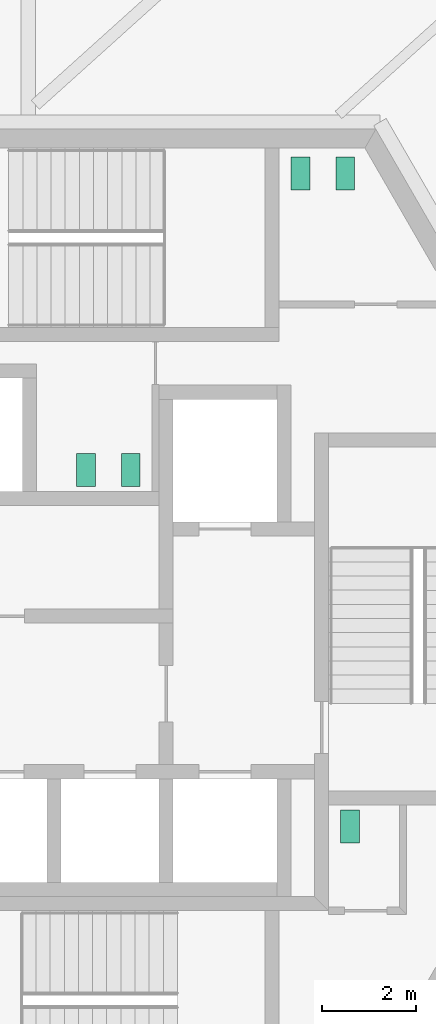
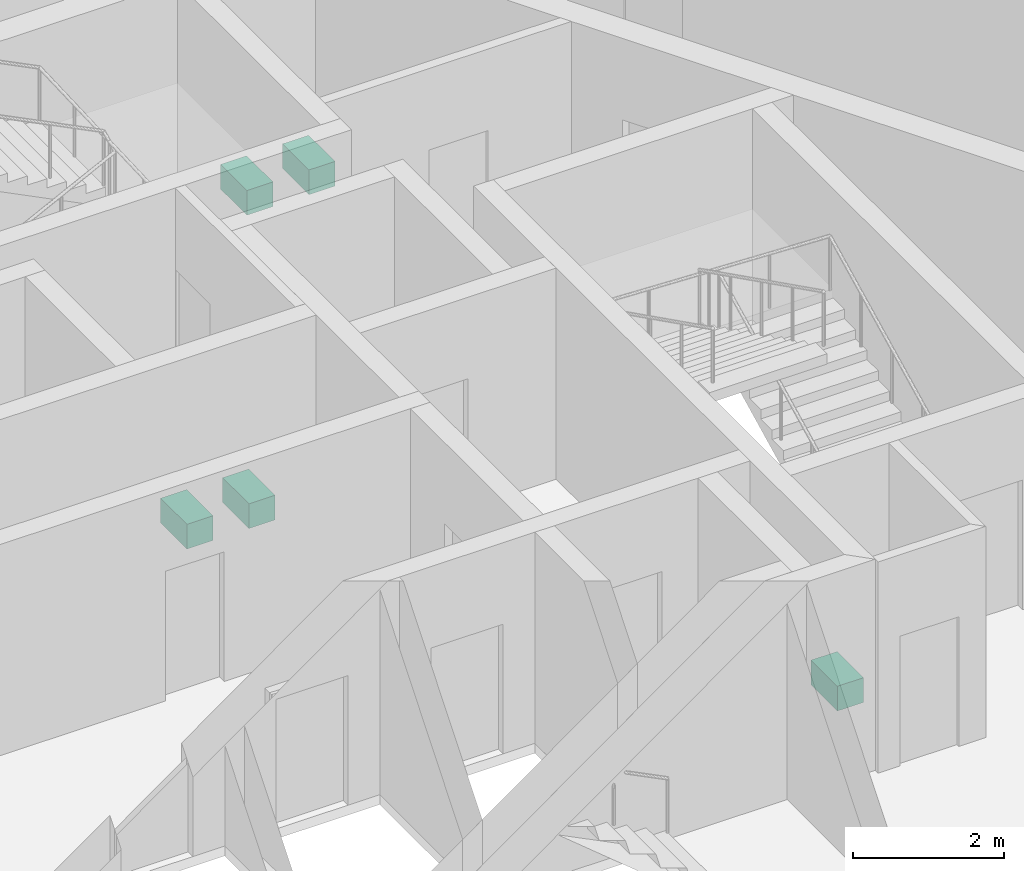
# One storey, part 17 of 17: 5 sanitary terminals.
"""IFC4 building model written with IfcOpenShell, lengths in metres."""

from ifc_helpers import new_model, si_unit, direction, frame, origin, origin_2d, place, context, subcontext, project, spatial, rectangle, extrude, source, transform, mapped, material, element, save


model = new_model("IFC4")

# Units and contexts
model_context = context("Model", 3, precision=1e-05, world=origin(), true_north=direction((0.0, 1.0)))
body_context = subcontext(model_context, "Body", "Model", "MODEL_VIEW")
ifc_project = project(units=[si_unit("LENGTHUNIT", "METRE"), si_unit("AREAUNIT", "SQUARE_METRE"), si_unit("VOLUMEUNIT", "CUBIC_METRE"), si_unit("PLANEANGLEUNIT", "RADIAN"), si_unit("MASSUNIT", "GRAM", prefix="KILO")], contexts=[model_context])

# Site, building, storey
site_placement = place(None, origin())
site = spatial("IfcSite", under=ifc_project, at=site_placement, CompositionType="ELEMENT")
building_placement = place(site_placement, origin())
building = spatial("IfcBuilding", under=site, at=building_placement, Name="Triune Harvest Tower", CompositionType="ELEMENT")
storey_placement = place(building_placement, frame((0.0, 0.0, 281.10009765625)))
storey = spatial("IfcBuildingStorey", under=building, at=storey_placement, Name="L74", CompositionType="ELEMENT", Elevation=281.10009765625)

# Sanitary terminals
ifc_material = material(Name="Vitreous china")
shared_shape = source(origin(), body_context, "Body", "SweptSolid", [
    extrude(rectangle(XDim=0.39990234375, YDim=0.699951171875, at=origin_2d()), origin(), (0.0, 0.0, 1.0), 0.39990234375),
])
for number, where, z_axis, x_axis, name in (
    (1, (4.39990234375, 9.449951171875, 0.0), (0.0, 0.0, 1.0), (1.0, 0.0, 0.0), "Toilet pan L74.c01"),
    (2, (5.35009765625, 9.449951171875, 0.0), (0.0, 0.0, 1.0), (1.0, 0.0, 0.0), "Toilet pan L74.c02"),
    (3, (0.800048828125, 3.159912109375, 0.0), (0.0, 0.0, 1.0), (-1.0, 0.0, 0.0), "Toilet pan L74.c03"),
    (4, (-0.14990234375, 3.159912109375, 0.0), (0.0, 0.0, 1.0), (-1.0, 0.0, 0.0), "Toilet pan L74.c04"),
    (5, (5.449951171875, -4.39990234375, 0.0), (0.0, 0.0, 1.0), (1.0, 0.0, 0.0), "Toilet pan L74.c05"),
):
    element("IfcSanitaryTerminal", number, at=place(storey_placement, frame(where, z_axis=z_axis, x_axis=x_axis)), inside=storey, material=ifc_material, Name=name, PredefinedType="TOILETPAN", context=body_context, shape_type="MappedRepresentation", body=[
        mapped(shared_shape, transform((0.0, 0.0, 0.0), scale=1.0)),
    ])

save(model, "model.ifc")
